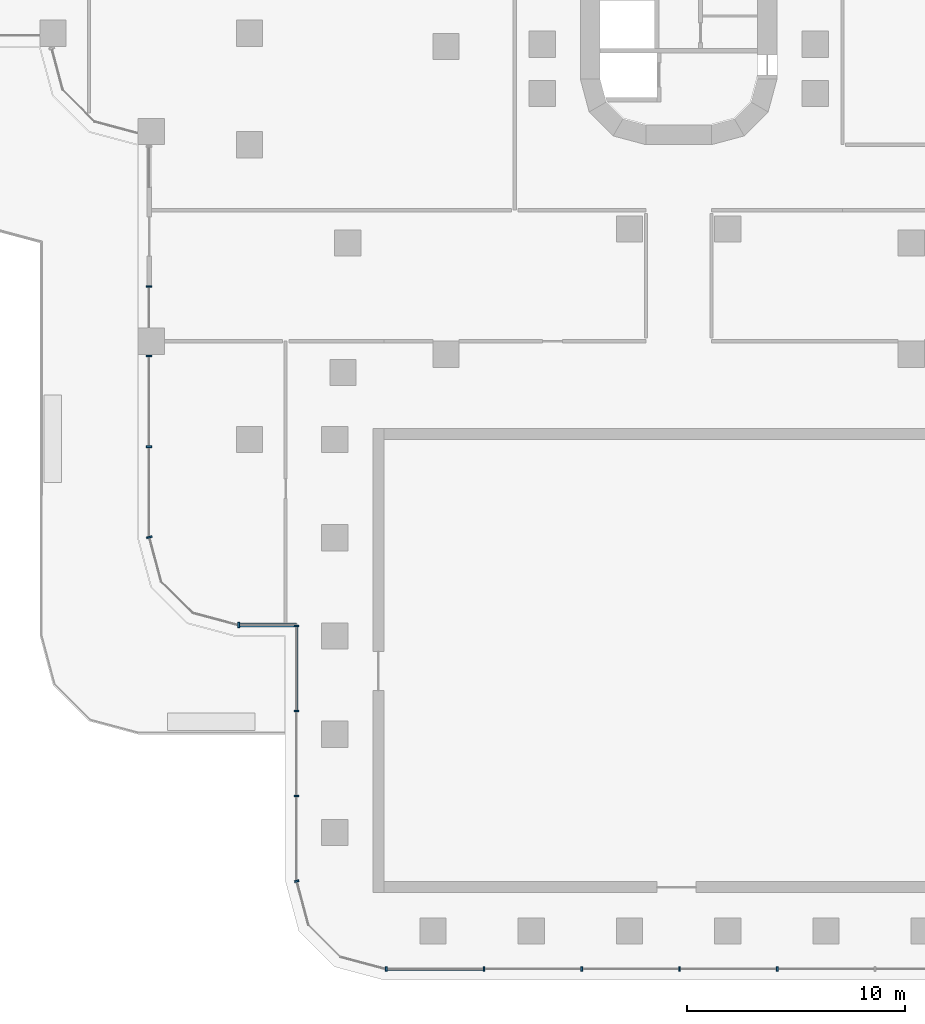
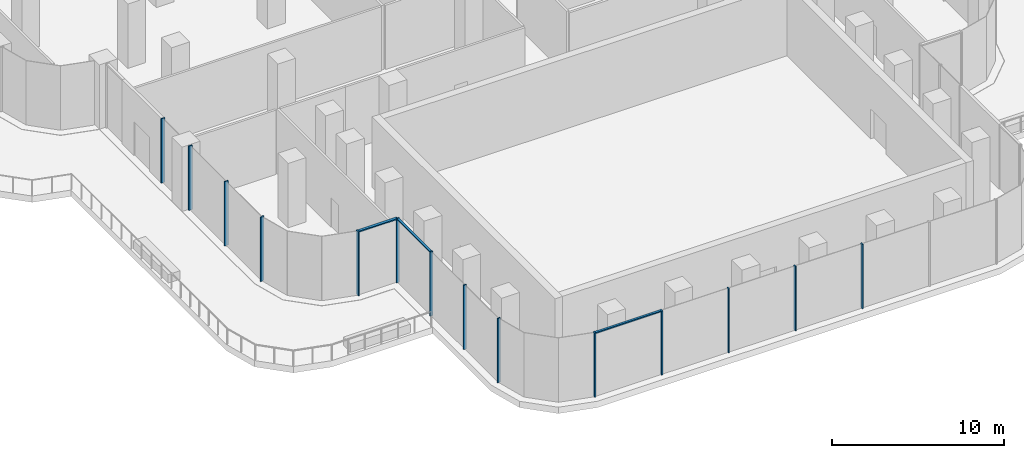
# One storey, part 2 of 30: 17 members, 6 elements without a shape of their own.
"""IFC4 building model written with IfcOpenShell, lengths in metres."""

from ifc_helpers import new_model, si_unit, direction, frame, origin, place, context, subcontext, project, spatial, polyline, outline, extrude, source, transform, mapped, material, type_object, element, aggregate, save


model = new_model("IFC4")

# Units and contexts
model_context = context("Model", 3, precision=1e-05, world=origin(), true_north=direction((0.0, 1.0)))
body_context = subcontext(model_context, "Body", "Model", "MODEL_VIEW")
ifc_project = project(units=[si_unit("LENGTHUNIT", "METRE"), si_unit("AREAUNIT", "SQUARE_METRE"), si_unit("VOLUMEUNIT", "CUBIC_METRE"), si_unit("PLANEANGLEUNIT", "RADIAN"), si_unit("MASSUNIT", "GRAM", prefix="KILO")], contexts=[model_context])

# Site, building, storey
site_placement = place(None, origin())
site = spatial("IfcSite", under=ifc_project, at=site_placement, CompositionType="ELEMENT")
building_placement = place(site_placement, origin())
building = spatial("IfcBuilding", under=site, at=building_placement, Name="Zarbagh Exchange Tower", CompositionType="ELEMENT")
storey_placement = place(building_placement, frame((0.0, 0.0, 7.0)))
storey = spatial("IfcBuildingStorey", under=building, at=storey_placement, Name="L01", CompositionType="ELEMENT", Elevation=7.0)

# Curtain wall, members
ifc_material_1 = material(Name="Anodised aluminium frame and glazing", Category="aluminium")
curtain_wall_type_1 = type_object("IfcCurtainWallType", Name="CWD Exchange hall wall glazing", PredefinedType="NOTDEFINED", material=ifc_material_1)
curtain_wall_1_placement = place(storey_placement, origin())
curtain_wall_1 = element("IfcCurtainWall", 1, at=curtain_wall_1_placement, inside=storey, type_object=curtain_wall_type_1, Name="CWD11 curtain wall", PredefinedType="NOTDEFINED")
ifc_material_2 = material(Name="Anodised aluminium frame", Category="aluminium")
member_type_1 = type_object("IfcMemberType", Name="MUD Mullion, anodised aluminium frame", PredefinedType="MULLION", material=ifc_material_2)
shared_shape_1 = source(origin(), body_context, "Body", "SweptSolid", [
    extrude(outline(polyline([(0.0, -0.10009765625), (0.080078125, -0.10009765625), (0.080078125, 0.10009765625), (0.0, 0.10009765625), (0.0, -0.10009765625)])), origin(), (0.0, 0.0, 1.0), 4.550048828125),
])
placement = place(storey_placement, origin())
member_1 = element("IfcMember", 2, at=placement, type_object=member_type_1, Name="CWD11 mullion 1.1", PredefinedType="MULLION", context=body_context, shape_type="MappedRepresentation", body=[
    mapped(shared_shape_1, transform((-17.5, -51.25, 0.0), x_axis=(0.0, -1.0, 0.0), y_axis=(1.0, 0.0, 0.0), z_axis=(0.0, 0.0, 1.0))),
])
member_2 = element("IfcMember", 3, at=placement, type_object=member_type_1, Name="CWD11 mullion 1.2", PredefinedType="MULLION", context=body_context, shape_type="MappedRepresentation", body=[
    mapped(shared_shape_1, transform((-17.5, -55.144775390625, 0.0), x_axis=(0.0, -1.0, 0.0), y_axis=(1.0, 0.0, 0.0), z_axis=(0.0, 0.0, 1.0))),
])
member_3 = element("IfcMember", 4, at=placement, type_object=member_type_1, Name="CWD11 mullion 1.3", PredefinedType="MULLION", context=body_context, shape_type="MappedRepresentation", body=[
    mapped(shared_shape_1, transform((-17.5, -59.03955078125, 0.0), x_axis=(0.0, -1.0, 0.0), y_axis=(1.0, 0.0, 0.0), z_axis=(0.0, 0.0, 1.0))),
])

# Curtain wall, member
curtain_wall_2_placement = place(storey_placement, origin())
curtain_wall_2 = element("IfcCurtainWall", 5, at=curtain_wall_2_placement, inside=storey, type_object=curtain_wall_type_1, Name="CWD06 curtain wall", PredefinedType="NOTDEFINED")
member_4 = element("IfcMember", 6, at=placement, type_object=member_type_1, Name="CWD06 mullion 1.1", PredefinedType="MULLION", context=body_context, shape_type="MappedRepresentation", body=[
    mapped(shared_shape_1, transform((-17.5, -62.93408203125, 0.0), x_axis=(0.258824779902, -0.965924289636, 0.0), y_axis=(0.965924289636, 0.258824779902, 0.0), z_axis=(0.0, 0.0, 1.0))),
])
aggregate(curtain_wall_2, [member_4])

# Curtain wall, members
curtain_wall_3_placement = place(storey_placement, origin())
curtain_wall_3 = element("IfcCurtainWall", 7, at=curtain_wall_3_placement, inside=storey, type_object=curtain_wall_type_1, Name="CWD09 curtain wall", PredefinedType="NOTDEFINED")
member_5 = element("IfcMember", 8, at=placement, type_object=member_type_1, Name="CWD09 mullion 1.1", PredefinedType="MULLION", context=body_context, shape_type="MappedRepresentation", body=[
    mapped(shared_shape_1, transform((-13.43408203125, -67.0, 0.0), x_axis=(1.0, 0.0, 0.0), y_axis=(0.0, 1.0, 0.0), z_axis=(0.0, 0.0, 1.0))),
])
member_6 = element("IfcMember", 9, at=placement, type_object=member_type_1, Name="CWD09 mullion 1.2", PredefinedType="MULLION", context=body_context, shape_type="MappedRepresentation", body=[
    mapped(shared_shape_1, transform((-8.9560546875, -67.0, 0.0), x_axis=(1.0, 0.0, 0.0), y_axis=(0.0, 1.0, 0.0), z_axis=(0.0, 0.0, 1.0))),
])
member_7 = element("IfcMember", 10, at=placement, type_object=member_type_1, Name="CWD09 mullion 1.3", PredefinedType="MULLION", context=body_context, shape_type="MappedRepresentation", body=[
    mapped(shared_shape_1, transform((-4.47802734375, -67.0, 0.0), x_axis=(1.0, 0.0, 0.0), y_axis=(0.0, 1.0, 0.0), z_axis=(0.0, 0.0, 1.0))),
])
member_8 = element("IfcMember", 11, at=placement, type_object=member_type_1, Name="CWD09 mullion 1.4", PredefinedType="MULLION", context=body_context, shape_type="MappedRepresentation", body=[
    mapped(shared_shape_1, transform((0.0, -67.0, 0.0), x_axis=(1.0, 0.0, 0.0), y_axis=(0.0, 1.0, 0.0), z_axis=(0.0, 0.0, 1.0))),
])
member_9 = element("IfcMember", 12, at=placement, type_object=member_type_1, Name="CWD09 mullion 1.5", PredefinedType="MULLION", context=body_context, shape_type="MappedRepresentation", body=[
    mapped(shared_shape_1, transform((4.47802734375, -67.0, 0.0), x_axis=(1.0, 0.0, 0.0), y_axis=(0.0, 1.0, 0.0), z_axis=(0.0, 0.0, 1.0))),
])

curtain_wall_type_2 = type_object("IfcCurtainWallType", Name="CWC Podium garden-wall glazing", PredefinedType="NOTDEFINED", material=ifc_material_1)
curtain_wall_4_placement = place(storey_placement, origin())
curtain_wall_4 = element("IfcCurtainWall", 13, at=curtain_wall_4_placement, inside=storey, type_object=curtain_wall_type_2, Name="CWC94 curtain wall", PredefinedType="NOTDEFINED")
member_type_2 = type_object("IfcMemberType", Name="MUC Mullion, anodised aluminium frame", PredefinedType="MULLION", material=ifc_material_2)
shared_shape_2 = source(origin(), body_context, "Body", "SweptSolid", [
    extrude(outline(polyline([(0.0, -0.125), (0.080078125, -0.125), (0.080078125, 0.125), (0.0, 0.125), (0.0, -0.125)])), origin(), (0.0, 0.0, 1.0), 4.550048828125),
])
member_10 = element("IfcMember", 14, at=placement, type_object=member_type_2, Name="CWC94 mullion 2.1", PredefinedType="MULLION", context=body_context, shape_type="MappedRepresentation", body=[
    mapped(shared_shape_2, transform((-24.25, -35.699951171875, 0.0), x_axis=(0.0, -1.0, 0.0), y_axis=(1.0, 0.0, 0.0), z_axis=(0.0, 0.0, 1.0))),
])
member_11 = element("IfcMember", 15, at=placement, type_object=member_type_2, Name="CWC94 mullion 3.1", PredefinedType="MULLION", context=body_context, shape_type="MappedRepresentation", body=[
    mapped(shared_shape_2, transform((-24.25, -38.89013671875, 0.0), x_axis=(0.0, -1.0, 0.0), y_axis=(1.0, 0.0, 0.0), z_axis=(0.0, 0.0, 1.0))),
])
member_12 = element("IfcMember", 16, at=placement, type_object=member_type_2, Name="CWC94 mullion 3.2", PredefinedType="MULLION", context=body_context, shape_type="MappedRepresentation", body=[
    mapped(shared_shape_2, transform((-24.25, -43.037109375, 0.0), x_axis=(0.0, -1.0, 0.0), y_axis=(1.0, 0.0, 0.0), z_axis=(0.0, 0.0, 1.0))),
])
aggregate(curtain_wall_4, [member_10, member_11, member_12])

# Curtain wall, member
curtain_wall_5_placement = place(storey_placement, origin())
curtain_wall_5 = element("IfcCurtainWall", 17, at=curtain_wall_5_placement, inside=storey, type_object=curtain_wall_type_2, Name="CWC95 curtain wall", PredefinedType="NOTDEFINED")
member_13 = element("IfcMember", 18, at=placement, type_object=member_type_2, Name="CWC95 mullion 1.1", PredefinedType="MULLION", context=body_context, shape_type="MappedRepresentation", body=[
    mapped(shared_shape_2, transform((-24.25, -47.18408203125, 0.0), x_axis=(0.258824779902, -0.965924289636, 0.0), y_axis=(0.965924289636, 0.258824779902, 0.0), z_axis=(0.0, 0.0, 1.0))),
])
aggregate(curtain_wall_5, [member_13])

# Curtain wall, members
curtain_wall_6_placement = place(storey_placement, origin())
curtain_wall_6 = element("IfcCurtainWall", 19, at=curtain_wall_6_placement, inside=storey, type_object=curtain_wall_type_2, Name="CWC98 curtain wall", PredefinedType="NOTDEFINED")
member_14 = element("IfcMember", 20, at=placement, type_object=member_type_2, Name="CWC98 mullion 1.1", PredefinedType="MULLION", context=body_context, shape_type="MappedRepresentation", body=[
    mapped(shared_shape_2, transform((-20.18408203125, -51.25, 0.0), x_axis=(1.0, 0.0, 0.0), y_axis=(0.0, 1.0, 0.0), z_axis=(0.0, 0.0, 1.0))),
])
member_type_3 = type_object("IfcMemberType", Name="TRC Transom, anodised aluminium frame", PredefinedType="USERDEFINED", material=ifc_material_2)
shared_shape_3 = source(origin(), body_context, "Body", "SweptSolid", [
    extrude(outline(polyline([(-0.080078125, -0.090087890625), (0.0, -0.090087890625), (0.0, 0.090087890625), (-0.080078125, 0.090087890625), (-0.080078125, -0.090087890625)])), origin(), (0.0, 0.0, 1.0), 2.604248046875),
])
member_15 = element("IfcMember", 21, at=placement, type_object=member_type_3, Name="CWC98 transom 1.1", ObjectType="TRANSOM", PredefinedType="USERDEFINED", context=body_context, shape_type="MappedRepresentation", body=[
    mapped(shared_shape_3, transform((-20.104248046875, -51.25, 4.550048828125), x_axis=(0.0, 0.0, 1.0), y_axis=(0.0, -1.0, 0.0), z_axis=(1.0, 0.0, 0.0))),
])
aggregate(curtain_wall_6, [member_14, member_15])

# Member
member_type_4 = type_object("IfcMemberType", Name="TRD Transom, anodised aluminium frame", PredefinedType="USERDEFINED", material=ifc_material_2)
shared_shape_4 = source(origin(), body_context, "Body", "SweptSolid", [
    extrude(outline(polyline([(-0.080078125, -0.074951171875), (0.0, -0.074951171875), (0.0, 0.074951171875), (-0.080078125, 0.074951171875), (-0.080078125, -0.074951171875)])), origin(), (0.0, 0.0, 1.0), 3.814697265625),
])
member_16 = element("IfcMember", 22, at=placement, type_object=member_type_4, Name="CWD11 transom 1.1", ObjectType="TRANSOM", PredefinedType="USERDEFINED", context=body_context, shape_type="MappedRepresentation", body=[
    mapped(shared_shape_4, transform((-17.5, -51.330078125, 4.550048828125), x_axis=(0.0, 0.0, 1.0), y_axis=(-1.0, 0.0, 0.0), z_axis=(0.0, -1.0, 0.0))),
])

aggregate(curtain_wall_1, [member_1, member_16, member_2, member_3])

shared_shape_5 = source(origin(), body_context, "Body", "SweptSolid", [
    extrude(outline(polyline([(-0.080078125, -0.074951171875), (0.0, -0.074951171875), (0.0, 0.074951171875), (-0.080078125, 0.074951171875), (-0.080078125, -0.074951171875)])), origin(), (0.0, 0.0, 1.0), 4.39794921875),
])
member_17 = element("IfcMember", 23, at=placement, type_object=member_type_4, Name="CWD09 transom 1.1", ObjectType="TRANSOM", PredefinedType="USERDEFINED", context=body_context, shape_type="MappedRepresentation", body=[
    mapped(shared_shape_5, transform((-13.354248046875, -67.0, 4.550048828125), x_axis=(0.0, 0.0, 1.0), y_axis=(0.0, -1.0, 0.0), z_axis=(1.0, 0.0, 0.0))),
])

aggregate(curtain_wall_3, [member_5, member_17, member_6, member_7, member_8, member_9])

save(model, "model.ifc")
